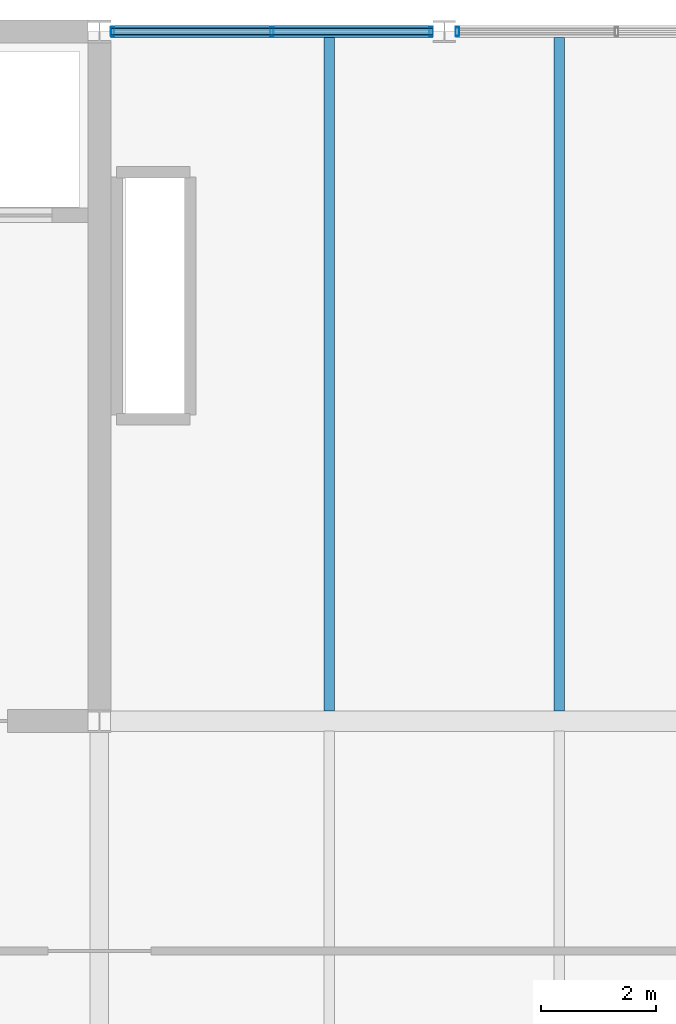
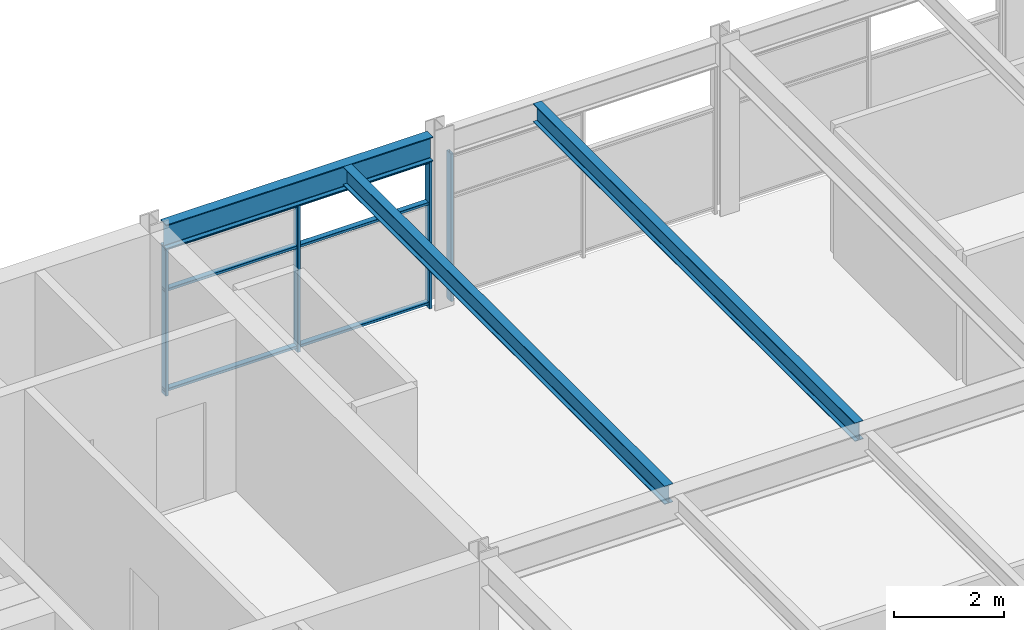
# One storey, part 22 of 51: 7 members, 3 beams, 2 elements without a shape of their own.
"""IFC4 building model written with IfcOpenShell, lengths in metres."""

from ifc_helpers import new_model, si_unit, direction, frame, origin, origin_2d, place, context, subcontext, project, spatial, hollow_rectangle, i_section, extrude, material, material_profile, profile_set, type_object, element, aggregate, save


model = new_model("IFC4")

# Units and contexts
model_context = context("Model", 3, precision=1e-05, world=origin(), true_north=direction((0.0, 1.0)))
body_context = subcontext(model_context, "Body", "Model", "MODEL_VIEW")
ifc_project = project(units=[si_unit("LENGTHUNIT", "METRE"), si_unit("AREAUNIT", "SQUARE_METRE"), si_unit("VOLUMEUNIT", "CUBIC_METRE"), si_unit("PLANEANGLEUNIT", "RADIAN"), si_unit("MASSUNIT", "GRAM", prefix="KILO")], contexts=[model_context])

# Site, building, storey
site_placement = place(None, origin())
site = spatial("IfcSite", under=ifc_project, at=site_placement, CompositionType="ELEMENT")
building_placement = place(site_placement, origin())
building = spatial("IfcBuilding", under=site, at=building_placement, Name="Girod Span Mobility Hub", CompositionType="ELEMENT")
storey_placement = place(building_placement, frame((0.0, 0.0, 41.60009765625)))
storey = spatial("IfcBuildingStorey", under=building, at=storey_placement, Name="L10", CompositionType="ELEMENT", Elevation=41.60009765625)

# Beams
ifc_material_1 = material(Name="Steel A992 Grade 50", Category="steel")
ifc_material_profile_1 = material_profile(ifc_material_1, i_section(OverallWidth=0.178955078125, OverallDepth=0.409912109375, WebThickness=0.0087890625, FlangeThickness=0.014404296875, FilletRadius=0.012939453125, at=origin_2d()), Name="W16X45")
ifc_profile_set_1 = profile_set([ifc_material_profile_1], Name="Steel A992 Grade 50")
beam_type_1 = type_object("IfcBeamType", Name="BM-STL-W16X45", PredefinedType="BEAM", material=ifc_profile_set_1)
for number, where, z_axis, x_axis, name in (
    (1, (64.0, 57.174560546875, 3.619873046875), (0.0, 1.0, 0.0), (-1.0, 0.0, 0.0), "Composite Floorbeam 6/E-1 L10"),
    (2, (68.0, 57.174560546875, 3.619873046875), (0.0, 1.0, 0.0), (-1.0, 0.0, 0.0), "Composite Floorbeam 6/E-2 L10"),
):
    element("IfcBeam", number, at=place(storey_placement, frame(where, z_axis=z_axis, x_axis=x_axis)), inside=storey, type_object=beam_type_1, Name=name, PredefinedType="BEAM", context=body_context, shape_type="SweptSolid", body=[
        extrude(i_section(OverallWidth=0.178955078125, OverallDepth=0.409912109375, WebThickness=0.0087890625, FlangeThickness=0.014404296875, FilletRadius=0.012939453125, at=origin_2d()), origin(), (0.0, 0.0, 1.0), 11.722412109375),
    ])
ifc_material_2 = material(Name="Steel A992 Grade 50", Category="steel")
ifc_material_profile_2 = material_profile(ifc_material_2, i_section(OverallWidth=0.2119140625, OverallDepth=0.5439453125, WebThickness=0.01318359375, FlangeThickness=0.021240234375, FilletRadius=0.014892578125, at=origin_2d()), Name="W21X83")
ifc_profile_set_2 = profile_set([ifc_material_profile_2], Name="Steel A992 Grade 50")
beam_type_2 = type_object("IfcBeamType", Name="BM-STL-W21X83", PredefinedType="SPANDREL", material=ifc_profile_set_2)
beam_placement = place(storey_placement, frame((60.196533203125, 69.0, 3.552978515625), z_axis=(1.0, 0.0, 0.0), x_axis=(0.0, 1.0, 0.0)))
element("IfcBeam", 3, at=beam_placement, inside=storey, type_object=beam_type_2, Name="Spandrel Beam 6-7/F-W L10", PredefinedType="SPANDREL", context=body_context, shape_type="SweptSolid", body=[
    extrude(i_section(OverallWidth=0.2119140625, OverallDepth=0.5439453125, WebThickness=0.01318359375, FlangeThickness=0.021240234375, FilletRadius=0.014892578125, at=origin_2d()), origin(), (0.0, 0.0, 1.0), 5.609375),
])

# Curtain wall, members
ifc_material_3 = material(Name="Thermally Broken Anodised Aluminium", Category="aluminium")
curtain_wall_type = type_object("IfcCurtainWallType", Name="CW-561X328", PredefinedType="USERDEFINED", material=ifc_material_3)
curtain_wall_1_placement = place(storey_placement, origin())
curtain_wall_1 = element("IfcCurtainWall", 4, at=curtain_wall_1_placement, inside=storey, type_object=curtain_wall_type, Name="Unitised Curtain Wall CW-L10-N06W L10", ObjectType="UNITISED CURTAIN WALL", PredefinedType="USERDEFINED")
ifc_material_4 = material(Name="Thermally Broken Anodised Aluminium", Category="aluminium")
ifc_material_profile_3 = material_profile(ifc_material_4, hollow_rectangle(XDim=0.159912109375, YDim=0.06005859375, WallThickness=0.00341796875, InnerFilletRadius=0.00341796875, OuterFilletRadius=0.007080078125, at=origin_2d()), Name="CW-ML-60X160")
ifc_profile_set_3 = profile_set([ifc_material_profile_3], Name="Thermally Broken Anodised Aluminium")
member_type_1 = type_object("IfcMemberType", Name="CWM-ML-3", PredefinedType="MULLION", material=ifc_profile_set_3)
member_1_placement = place(storey_placement, frame((60.2294921875, 69.0, 0.0), z_axis=(0.0, 0.0, 1.0), x_axis=(0.0, 1.0, 0.0)))
member_1 = element("IfcMember", 5, at=member_1_placement, type_object=member_type_1, Name="Curtain Wall Mullion CW-L10-N06W-M0", PredefinedType="MULLION", context=body_context, shape_type="SweptSolid", body=[
    extrude(hollow_rectangle(XDim=0.159912109375, YDim=0.06005859375, WallThickness=0.00341796875, InnerFilletRadius=0.00341796875, OuterFilletRadius=0.007080078125, at=origin_2d()), origin(), (0.0, 0.0, 1.0), 3.281005859375),
])
member_2_placement = place(storey_placement, frame((63.001220703125, 69.0, 0.0), z_axis=(0.0, 0.0, 1.0), x_axis=(0.0, 1.0, 0.0)))
member_2 = element("IfcMember", 6, at=member_2_placement, type_object=member_type_1, Name="Curtain Wall Mullion CW-L10-N06W-M1", PredefinedType="MULLION", context=body_context, shape_type="SweptSolid", body=[
    extrude(hollow_rectangle(XDim=0.159912109375, YDim=0.06005859375, WallThickness=0.00341796875, InnerFilletRadius=0.00341796875, OuterFilletRadius=0.007080078125, at=origin_2d()), origin(), (0.0, 0.0, 1.0), 3.281005859375),
])
member_3_placement = place(storey_placement, frame((65.77294921875, 69.0, 0.0), z_axis=(0.0, 0.0, 1.0), x_axis=(0.0, 1.0, 0.0)))
member_3 = element("IfcMember", 7, at=member_3_placement, type_object=member_type_1, Name="Curtain Wall Mullion CW-L10-N06W-M2", PredefinedType="MULLION", context=body_context, shape_type="SweptSolid", body=[
    extrude(hollow_rectangle(XDim=0.159912109375, YDim=0.06005859375, WallThickness=0.00341796875, InnerFilletRadius=0.00341796875, OuterFilletRadius=0.007080078125, at=origin_2d()), origin(), (0.0, 0.0, 1.0), 3.281005859375),
])

# Curtain wall, member
curtain_wall_2_placement = place(storey_placement, origin())
curtain_wall_2 = element("IfcCurtainWall", 8, at=curtain_wall_2_placement, inside=storey, type_object=curtain_wall_type, Name="Unitised Curtain Wall CW-L10-N06E L10", ObjectType="UNITISED CURTAIN WALL", PredefinedType="USERDEFINED")
member_4_placement = place(storey_placement, frame((66.22705078125, 69.0, 0.0), z_axis=(0.0, 0.0, 1.0), x_axis=(0.0, 1.0, 0.0)))
member_4 = element("IfcMember", 9, at=member_4_placement, type_object=member_type_1, Name="Curtain Wall Mullion CW-L10-N06E-M0", PredefinedType="MULLION", context=body_context, shape_type="SweptSolid", body=[
    extrude(hollow_rectangle(XDim=0.159912109375, YDim=0.06005859375, WallThickness=0.00341796875, InnerFilletRadius=0.00341796875, OuterFilletRadius=0.007080078125, at=origin_2d()), origin(), (0.0, 0.0, 1.0), 3.281005859375),
])
aggregate(curtain_wall_2, [member_4])

# Member
ifc_material_5 = material(Name="Thermally Broken Anodised Aluminium", Category="aluminium")
ifc_material_profile_4 = material_profile(ifc_material_5, hollow_rectangle(XDim=0.1201171875, YDim=0.06005859375, WallThickness=0.00341796875, InnerFilletRadius=0.00341796875, OuterFilletRadius=0.007080078125, at=origin_2d()), Name="CW-TR-60X120")
ifc_profile_set_4 = profile_set([ifc_material_profile_4], Name="Thermally Broken Anodised Aluminium")
member_type_2 = type_object("IfcMemberType", Name="CWM-TR-3", PredefinedType="USERDEFINED", material=ifc_profile_set_4)
member_5_placement = place(storey_placement, frame((60.197509765625, 69.0, 0.10986328125), z_axis=(1.0, 0.0, 0.0), x_axis=(0.0, 1.0, 0.0)))
member_5 = element("IfcMember", 10, at=member_5_placement, type_object=member_type_2, Name="Curtain Wall Transom CW-L10-N06W-T1", ObjectType="TRANSOM", PredefinedType="USERDEFINED", context=body_context, shape_type="SweptSolid", body=[
    extrude(hollow_rectangle(XDim=0.1201171875, YDim=0.06005859375, WallThickness=0.00341796875, InnerFilletRadius=0.00341796875, OuterFilletRadius=0.007080078125, at=origin_2d()), origin(), (0.0, 0.0, 1.0), 5.607421875),
])

member_6_placement = place(storey_placement, frame((60.197509765625, 69.0, 2.332275390625), z_axis=(1.0, 0.0, 0.0), x_axis=(0.0, 1.0, 0.0)))
member_6 = element("IfcMember", 11, at=member_6_placement, type_object=member_type_2, Name="Curtain Wall Transom CW-L10-N06W-T2", ObjectType="TRANSOM", PredefinedType="USERDEFINED", context=body_context, shape_type="SweptSolid", body=[
    extrude(hollow_rectangle(XDim=0.1201171875, YDim=0.06005859375, WallThickness=0.00341796875, InnerFilletRadius=0.00341796875, OuterFilletRadius=0.007080078125, at=origin_2d()), origin(), (0.0, 0.0, 1.0), 5.607421875),
])

member_7_placement = place(storey_placement, frame((60.197509765625, 69.0, 3.2509765625), z_axis=(1.0, 0.0, 0.0), x_axis=(0.0, 1.0, 0.0)))
member_7 = element("IfcMember", 12, at=member_7_placement, type_object=member_type_2, Name="Curtain Wall Transom CW-L10-N06W-T3", ObjectType="TRANSOM", PredefinedType="USERDEFINED", context=body_context, shape_type="SweptSolid", body=[
    extrude(hollow_rectangle(XDim=0.1201171875, YDim=0.06005859375, WallThickness=0.00341796875, InnerFilletRadius=0.00341796875, OuterFilletRadius=0.007080078125, at=origin_2d()), origin(), (0.0, 0.0, 1.0), 5.607421875),
])

aggregate(curtain_wall_1, [member_1, member_2, member_3, member_5, member_6, member_7])

save(model, "model.ifc")
